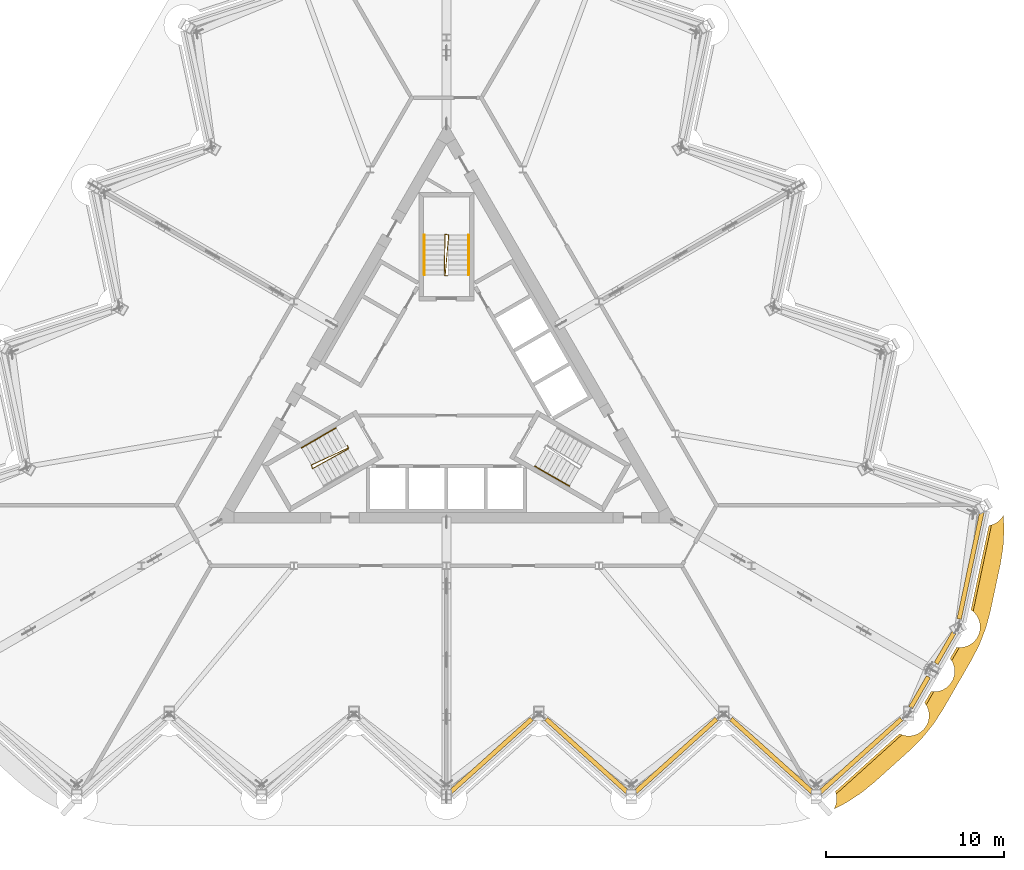
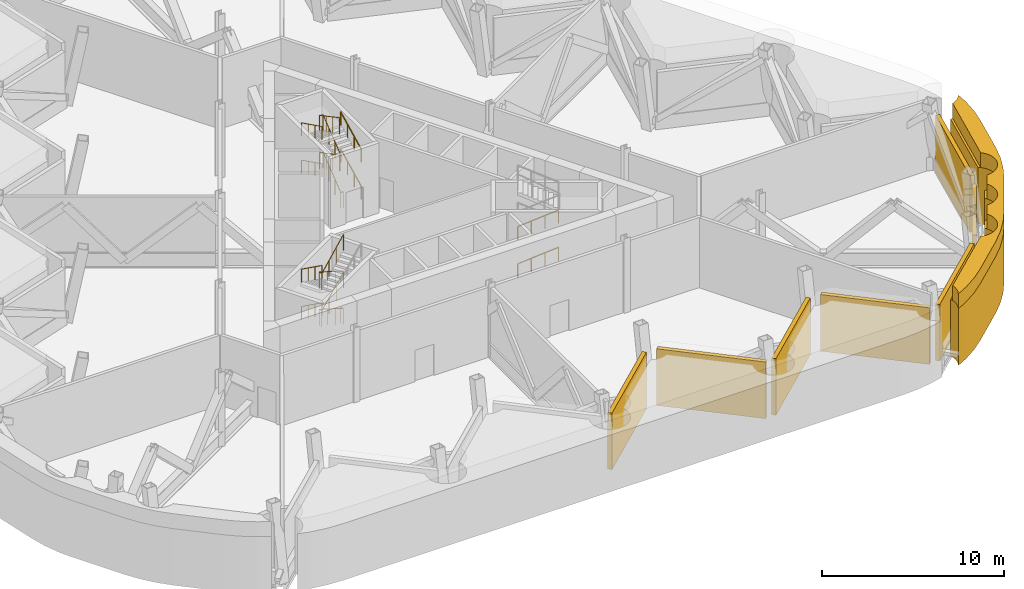
# One storey, part 14 of 16: 10 railings, 8 shading devices, 2 coverings.
"""IFC4 building model written with IfcOpenShell, lengths in metres."""

from ifc_helpers import new_model, si_unit, direction, frame, origin, origin_2d, place, context, subcontext, project, spatial, polyline, rectangle, circle, outline, extrude, material, layer, layer_set, type_object, element, save


model = new_model("IFC4")

# Units and contexts
model_context = context("Model", 3, precision=1e-05, world=origin(), true_north=direction((0.0, 1.0)))
body_context = subcontext(model_context, "Body", "Model", "MODEL_VIEW")
ifc_project = project(units=[si_unit("LENGTHUNIT", "METRE"), si_unit("AREAUNIT", "SQUARE_METRE"), si_unit("VOLUMEUNIT", "CUBIC_METRE"), si_unit("PLANEANGLEUNIT", "RADIAN"), si_unit("MASSUNIT", "GRAM", prefix="KILO")], contexts=[model_context])

# Site, building, storey
site_placement = place(None, origin())
site = spatial("IfcSite", under=ifc_project, at=site_placement, CompositionType="ELEMENT")
building_placement = place(site_placement, origin())
building = spatial("IfcBuilding", under=site, at=building_placement, Name="Cormorant Prow Tower", CompositionType="ELEMENT")
storey_placement = place(building_placement, frame((0.0, 0.0, 356.0)))
storey = spatial("IfcBuildingStorey", under=building, at=storey_placement, Name="L79", CompositionType="ELEMENT", Elevation=356.0)

# Coverings
ifc_material_1 = material(Name="Terracotta", Category="masonry")
ifc_layer_1 = layer(ifc_material_1, 0.449951171875)
ifc_layer_set_1 = layer_set([ifc_layer_1], Name="Terracotta")
covering_type = type_object("IfcCoveringType", Name="Arcade fascia cladding 450", PredefinedType="CLADDING", material=ifc_layer_set_1)
covering_1_placement = place(storey_placement, origin())
element("IfcCovering", 1, at=covering_1_placement, inside=storey, type_object=covering_type, Name="Fascia band L79 part 5", PredefinedType="CLADDING", context=body_context, shape_type="SweptSolid", body=[
    extrude(outline(polyline([(31.35791015625, -7.925048828125), (31.314208984375, -8.76123046875), (31.2978515625, -8.91748046875), (31.166748046875, -9.744384765625), (31.152587890625, -9.82177734375), (30.599853515625, -12.421630859375), (30.58154296875, -12.498046875), (30.36474609375, -13.306884765625), (30.31640625, -13.456298828125), (30.01611328125, -14.238037109375), (29.952392578125, -14.381591796875), (29.572265625, -15.127685546875), (29.53466796875, -15.196533203125), (27.927978515625, -17.9794921875), (27.886962890625, -18.04638671875), (27.430908203125, -18.748779296875), (27.338623046875, -18.875732421875), (26.8115234375, -19.526611328125), (26.70654296875, -19.643310546875), (26.114501953125, -20.2353515625), (26.0576171875, -20.289306640625), (24.08203125, -22.068115234375), (24.0224609375, -22.118896484375), (23.37158203125, -22.64599609375), (23.24462890625, -22.73828125), (22.54248046875, -23.1943359375), (22.406494140625, -23.272705078125), (21.787841796875, -23.587890625), (21.810546875, -23.55029296875), (21.85888671875, -23.4482421875), (21.896728515625, -23.341796875), (21.92431640625, -23.232421875), (21.94091796875, -23.120849609375), (21.9462890625, -23.008056640625), (21.94091796875, -22.8955078125), (21.92431640625, -22.78369140625), (21.896728515625, -22.67431640625), (21.87109375, -22.602294921875), (25.479248046875, -19.353271484375), (25.555419921875, -19.389404296875), (25.66162109375, -19.42724609375), (25.77099609375, -19.45458984375), (25.8828125, -19.47119140625), (25.995361328125, -19.476806640625), (26.108154296875, -19.47119140625), (26.2197265625, -19.45458984375), (26.3291015625, -19.42724609375), (26.435546875, -19.389404296875), (26.53759765625, -19.341064453125), (26.63427734375, -19.282958984375), (26.724853515625, -19.2158203125), (26.80859375, -19.139892578125), (26.884521484375, -19.056396484375), (26.95166015625, -18.9658203125), (27.009521484375, -18.868896484375), (27.057861328125, -18.766845703125), (27.095947265625, -18.66064453125), (27.123291015625, -18.55126953125), (27.139892578125, -18.439453125), (27.1455078125, -18.326904296875), (27.139892578125, -18.214111328125), (27.123291015625, -18.1025390625), (27.095947265625, -17.992919921875), (27.057861328125, -17.88671875), (27.009521484375, -17.78466796875), (26.95166015625, -17.68798828125), (26.892333984375, -17.608154296875), (27.2587890625, -16.973388671875), (27.319580078125, -16.982421875), (27.432373046875, -16.988037109375), (27.544921875, -16.982421875), (27.656494140625, -16.9658203125), (27.76611328125, -16.9384765625), (27.872314453125, -16.900390625), (27.974365234375, -16.852294921875), (28.0712890625, -16.794189453125), (28.161865234375, -16.72705078125), (28.24560546875, -16.651123046875), (28.3212890625, -16.567626953125), (28.388427734375, -16.476806640625), (28.446533203125, -16.380126953125), (28.49462890625, -16.278076171875), (28.53271484375, -16.171875), (28.560302734375, -16.0625), (28.576904296875, -15.95068359375), (28.582275390625, -15.837890625), (28.576904296875, -15.725341796875), (28.560302734375, -15.61376953125), (28.53271484375, -15.504150390625), (28.49462890625, -15.39794921875), (28.446533203125, -15.2958984375), (28.388427734375, -15.19921875), (28.329345703125, -15.119384765625), (28.69580078125, -14.484619140625), (28.756591796875, -14.49365234375), (28.869140625, -14.499267578125), (28.98193359375, -14.49365234375), (29.093505859375, -14.477294921875), (29.202880859375, -14.44970703125), (29.309326171875, -14.41162109375), (29.411376953125, -14.363525390625), (29.508056640625, -14.305419921875), (29.5986328125, -14.23828125), (29.682373046875, -14.162353515625), (29.75830078125, -14.078857421875), (29.825439453125, -13.98828125), (29.88330078125, -13.891357421875), (29.931640625, -13.789306640625), (29.9697265625, -13.68310546875), (29.9970703125, -13.573486328125), (30.013671875, -13.4619140625), (30.019287109375, -13.349365234375), (30.013671875, -13.236572265625), (29.9970703125, -13.125), (29.9697265625, -13.015380859375), (29.931640625, -12.9091796875), (29.88330078125, -12.80712890625), (29.825439453125, -12.710205078125), (29.75830078125, -12.61962890625), (29.682373046875, -12.5361328125), (29.5986328125, -12.460205078125), (29.508056640625, -12.39306640625), (29.500244140625, -12.388427734375), (30.509521484375, -7.6396484375), (30.548095703125, -7.634033203125), (30.65771484375, -7.606689453125), (30.763916015625, -7.568603515625), (30.865966796875, -7.520263671875), (30.962646484375, -7.46240234375), (31.05322265625, -7.39501953125), (31.136962890625, -7.3193359375), (31.212646484375, -7.235595703125), (31.27978515625, -7.14501953125), (31.32177734375, -7.0751953125), (31.35791015625, -7.76806640625), (31.35791015625, -7.925048828125)])), origin(), (0.0, 0.0, 1.0), 3.800048828125),
])
covering_2_placement = place(storey_placement, frame((0.0, 0.0, 3.800048828125)))
element("IfcCovering", 2, at=covering_2_placement, inside=storey, type_object=covering_type, Name="Fascia band L79 head part 6", PredefinedType="CLADDING", context=body_context, shape_type="SweptSolid", body=[
    extrude(outline(polyline([(31.314208984375, -8.76123046875), (31.2978515625, -8.91748046875), (31.166748046875, -9.744384765625), (31.152587890625, -9.82177734375), (30.599853515625, -12.421630859375), (30.58154296875, -12.498046875), (30.36474609375, -13.306884765625), (30.31640625, -13.456298828125), (30.01611328125, -14.238037109375), (29.952392578125, -14.381591796875), (29.572265625, -15.127685546875), (29.53466796875, -15.196533203125), (27.927978515625, -17.9794921875), (27.886962890625, -18.04638671875), (27.430908203125, -18.748779296875), (27.338623046875, -18.875732421875), (26.8115234375, -19.526611328125), (26.70654296875, -19.643310546875), (26.114501953125, -20.2353515625), (26.0576171875, -20.289306640625), (24.08203125, -22.068115234375), (24.0224609375, -22.118896484375), (23.37158203125, -22.64599609375), (23.24462890625, -22.73828125), (22.54248046875, -23.1943359375), (22.406494140625, -23.272705078125), (21.787841796875, -23.587890625), (21.810546875, -23.55029296875), (21.85888671875, -23.4482421875), (21.896728515625, -23.341796875), (21.92431640625, -23.232421875), (21.94091796875, -23.120849609375), (21.9462890625, -23.008056640625), (21.94091796875, -22.8955078125), (21.92431640625, -22.78369140625), (21.914794921875, -22.745849609375), (25.617919921875, -19.41162109375), (25.66162109375, -19.42724609375), (25.77099609375, -19.45458984375), (25.8828125, -19.47119140625), (25.995361328125, -19.476806640625), (26.108154296875, -19.47119140625), (26.2197265625, -19.45458984375), (26.3291015625, -19.42724609375), (26.435546875, -19.389404296875), (26.53759765625, -19.341064453125), (26.63427734375, -19.282958984375), (26.724853515625, -19.2158203125), (26.80859375, -19.139892578125), (26.884521484375, -19.056396484375), (26.95166015625, -18.9658203125), (27.009521484375, -18.868896484375), (27.057861328125, -18.766845703125), (27.095947265625, -18.66064453125), (27.123291015625, -18.55126953125), (27.139892578125, -18.439453125), (27.1455078125, -18.326904296875), (27.139892578125, -18.214111328125), (27.123291015625, -18.1025390625), (27.095947265625, -17.992919921875), (27.057861328125, -17.88671875), (27.009521484375, -17.78466796875), (26.97802734375, -17.73193359375), (27.408203125, -16.98681640625), (27.432373046875, -16.988037109375), (27.544921875, -16.982421875), (27.656494140625, -16.9658203125), (27.76611328125, -16.9384765625), (27.872314453125, -16.900390625), (27.974365234375, -16.852294921875), (28.0712890625, -16.794189453125), (28.161865234375, -16.72705078125), (28.24560546875, -16.651123046875), (28.3212890625, -16.567626953125), (28.388427734375, -16.476806640625), (28.446533203125, -16.380126953125), (28.49462890625, -16.278076171875), (28.53271484375, -16.171875), (28.560302734375, -16.0625), (28.576904296875, -15.95068359375), (28.582275390625, -15.837890625), (28.576904296875, -15.725341796875), (28.560302734375, -15.61376953125), (28.53271484375, -15.504150390625), (28.49462890625, -15.39794921875), (28.446533203125, -15.2958984375), (28.414794921875, -15.2431640625), (28.844970703125, -14.498046875), (28.869140625, -14.499267578125), (28.98193359375, -14.49365234375), (29.093505859375, -14.477294921875), (29.202880859375, -14.44970703125), (29.309326171875, -14.41162109375), (29.411376953125, -14.363525390625), (29.508056640625, -14.305419921875), (29.5986328125, -14.23828125), (29.682373046875, -14.162353515625), (29.75830078125, -14.078857421875), (29.825439453125, -13.98828125), (29.88330078125, -13.891357421875), (29.931640625, -13.789306640625), (29.9697265625, -13.68310546875), (29.9970703125, -13.573486328125), (30.013671875, -13.4619140625), (30.019287109375, -13.349365234375), (30.013671875, -13.236572265625), (29.9970703125, -13.125), (29.9697265625, -13.015380859375), (29.931640625, -12.9091796875), (29.88330078125, -12.80712890625), (29.825439453125, -12.710205078125), (29.75830078125, -12.61962890625), (29.682373046875, -12.5361328125), (29.619873046875, -12.4794921875), (30.655517578125, -7.607177734375), (30.65771484375, -7.606689453125), (30.763916015625, -7.568603515625), (30.865966796875, -7.520263671875), (30.962646484375, -7.46240234375), (31.05322265625, -7.39501953125), (31.136962890625, -7.3193359375), (31.212646484375, -7.235595703125), (31.27978515625, -7.14501953125), (31.32177734375, -7.0751953125), (31.35791015625, -7.76806640625), (31.35791015625, -7.925048828125), (31.314208984375, -8.76123046875)])), origin(), (0.0, 0.0, 1.0), 1.0),
])

# Shading devices
ifc_material_2 = material(Name="Aluminium 6063-T6", Category="aluminium")
ifc_layer_2 = layer(ifc_material_2, 0.25)
ifc_layer_set_2 = layer_set([ifc_layer_2], Name="Aluminium 6063-T6")
shading_device_type_1 = type_object("IfcShadingDeviceType", Name="Plant storey louvre panel 2006x250x3800", PredefinedType="USERDEFINED", material=ifc_layer_set_2)
for number, where, z_axis, x_axis, name in (
    (3, (26.60546875, -17.02001953125, 0.0), (0.0, 0.0, 1.0), (0.499999970677, 0.866025420714, 0.0), "Plant storey louvre ESE00"),
    (4, (28.04248046875, -14.53125, 0.0), (0.0, 0.0, 1.0), (0.499999970677, 0.866025420714, 0.0), "Plant storey louvre ESE01"),
):
    element("IfcShadingDevice", number, at=place(storey_placement, frame(where, z_axis=z_axis, x_axis=x_axis)), inside=storey, type_object=shading_device_type_1, Name=name, ObjectType="LOUVRE", PredefinedType="USERDEFINED", context=body_context, shape_type="SweptSolid", body=[
        extrude(rectangle(XDim=2.005859375, YDim=0.25, at=origin_2d()), origin(), (0.0, 0.0, 1.0), 3.800048828125),
    ])
ifc_material_3 = material(Name="Aluminium 6063-T6", Category="aluminium")
ifc_layer_3 = layer(ifc_material_3, 0.25)
ifc_layer_set_3 = layer_set([ifc_layer_3], Name="Aluminium 6063-T6")
shading_device_type_2 = type_object("IfcShadingDeviceType", Name="Plant storey louvre panel 6128x250x3800", PredefinedType="USERDEFINED", material=ifc_layer_set_3)
for number, where, z_axis, x_axis, name in (
    (5, (2.515869140625, -20.574462890625, 0.0), (0.0, 0.0, 1.0), (0.743144815375, 0.669130617578, 0.0), "Plant storey louvre S05"),
    (6, (7.88232421875, -20.574462890625, 0.0), (0.0, 0.0, 1.0), (0.743144751377, -0.669130688656, 0.0), "Plant storey louvre S06"),
    (7, (12.9140625, -20.574462890625, 0.0), (0.0, 0.0, 1.0), (0.743144815375, 0.669130617578, 0.0), "Plant storey louvre S07"),
    (8, (18.280517578125, -20.574462890625, 0.0), (0.0, 0.0, 1.0), (0.743144751377, -0.669130688656, 0.0), "Plant storey louvre S08"),
    (9, (23.312255859375, -20.574462890625, 0.0), (0.0, 0.0, 1.0), (0.743144815375, 0.669130617578, 0.0), "Plant storey louvre S09"),
    (10, (29.47412109375, -9.901611328125, 0.0), (0.0, 0.0, 1.0), (0.20791176281, 0.978147585431, 0.0), "Plant storey louvre ENE00"),
):
    element("IfcShadingDevice", number, at=place(storey_placement, frame(where, z_axis=z_axis, x_axis=x_axis)), inside=storey, type_object=shading_device_type_2, Name=name, ObjectType="LOUVRE", PredefinedType="USERDEFINED", context=body_context, shape_type="SweptSolid", body=[
        extrude(rectangle(XDim=6.1279296875, YDim=0.25, at=origin_2d()), origin(), (0.0, 0.0, 1.0), 3.800048828125),
    ])

# Railings
ifc_material_4 = material(Name="Stainless steel", Category="steel")
railing_type_1 = type_object("IfcRailingType", Name="Stair guard 1100", PredefinedType="GUARDRAIL", material=ifc_material_4)
railing_1_placement = place(storey_placement, frame((-5.585205078125, -3.137939453125, 0.0)))
element("IfcRailing", 11, at=railing_1_placement, inside=storey, type_object=railing_type_1, Name="L79 ST1 stair guard 1", PredefinedType="GUARDRAIL", context=body_context, shape_type="SweptSolid", body=[
    extrude(circle(Radius=0.02392578125, at=origin_2d()), frame((0.0, 0.0, 1.076171875), z_axis=(0.501036270542, -0.865426285481, 0.0), x_axis=(0.865426285481, 0.501036270542, 0.0)), (0.0, 0.0, 1.0), 0.150146484375),
    extrude(circle(Radius=0.02392578125, at=origin_2d()), frame((0.0751953125, -0.1298828125, 1.076171875), z_axis=(-0.796139674623, -0.37143232681, 0.477702465026), x_axis=(0.422792438952, -0.906226546491, 0.0)), (0.0, 0.0, 1.0), 2.61669921875),
    extrude(circle(Radius=0.02392578125, at=origin_2d()), frame((-2.008056640625, -1.101806640625, 2.326171875), z_axis=(0.275034262293, -0.961434425515, 0.0), x_axis=(0.961434425515, 0.275034262293, 0.0)), (0.0, 0.0, 1.0), 0.2060546875),
    extrude(circle(Radius=0.02392578125, at=origin_2d()), frame((-1.951416015625, -1.2998046875, 2.326171875), z_axis=(0.76962706216, 0.422144092447, 0.479028757386), x_axis=(-0.480911908544, 0.87676891837, 0.0)), (0.0, 0.0, 1.0), 2.609375),
    extrude(circle(Radius=0.02392578125, at=origin_2d()), frame((0.056884765625, -0.1982421875, 3.576171875), z_axis=(0.258736085224, 0.965948051503, 0.0), x_axis=(-0.965948051503, 0.258736085224, 0.0)), (0.0, 0.0, 1.0), 0.07080078125),
    extrude(circle(Radius=0.02392578125, at=origin_2d()), frame((0.0751953125, -0.1298828125, 3.576171875), z_axis=(-0.796139674623, -0.37143232681, 0.477702465026), x_axis=(0.422792438952, -0.906226546491, 0.0)), (0.0, 0.0, 1.0), 2.61669921875),
    extrude(circle(Radius=0.02392578125, at=origin_2d()), frame((-2.008056640625, -1.101806640625, 4.826171875), z_axis=(0.275034262293, -0.961434425515, 0.0), x_axis=(0.961434425515, 0.275034262293, 0.0)), (0.0, 0.0, 1.0), 0.2060546875),
    extrude(circle(Radius=0.02392578125, at=origin_2d()), frame((-1.951416015625, -1.2998046875, 4.826171875), z_axis=(0.76962706216, 0.422144092447, 0.479028757386), x_axis=(-0.480911908544, 0.87676891837, 0.0)), (0.0, 0.0, 1.0), 2.609375),
    extrude(circle(Radius=0.02099609375, at=origin_2d()), origin(), (0.0, 0.0, 1.0), 1.052001953125),
    extrude(circle(Radius=0.02099609375, at=origin_2d()), frame((0.0751953125, -0.1298828125, 0.0)), (0.0, 0.0, 1.0), 1.052001953125),
    extrude(circle(Radius=0.02099609375, at=origin_2d()), frame((-0.619140625, -0.453857421875, 0.416748046875)), (0.0, 0.0, 1.0), 1.052001953125),
    extrude(circle(Radius=0.02099609375, at=origin_2d()), frame((-1.313720703125, -0.77783203125, 0.833251953125)), (0.0, 0.0, 1.0), 1.052001953125),
    extrude(circle(Radius=0.02099609375, at=origin_2d()), frame((-2.008056640625, -1.101806640625, 1.25)), (0.0, 0.0, 1.0), 1.052001953125),
    extrude(circle(Radius=0.02099609375, at=origin_2d()), frame((-1.951416015625, -1.2998046875, 1.25)), (0.0, 0.0, 1.0), 1.052001953125),
    extrude(circle(Radius=0.02099609375, at=origin_2d()), frame((-1.281982421875, -0.9326171875, 1.666748046875)), (0.0, 0.0, 1.0), 1.052001953125),
    extrude(circle(Radius=0.02099609375, at=origin_2d()), frame((-0.612548828125, -0.5654296875, 2.083251953125)), (0.0, 0.0, 1.0), 1.052001953125),
    extrude(circle(Radius=0.02099609375, at=origin_2d()), frame((0.056884765625, -0.1982421875, 2.5)), (0.0, 0.0, 1.0), 1.052001953125),
    extrude(circle(Radius=0.02099609375, at=origin_2d()), frame((0.0751953125, -0.1298828125, 2.5)), (0.0, 0.0, 1.0), 1.052001953125),
    extrude(circle(Radius=0.02099609375, at=origin_2d()), frame((-0.619140625, -0.453857421875, 2.916748046875)), (0.0, 0.0, 1.0), 1.052001953125),
    extrude(circle(Radius=0.02099609375, at=origin_2d()), frame((-1.313720703125, -0.77783203125, 3.333251953125)), (0.0, 0.0, 1.0), 1.052001953125),
    extrude(circle(Radius=0.02099609375, at=origin_2d()), frame((-2.008056640625, -1.101806640625, 3.75)), (0.0, 0.0, 1.0), 1.052001953125),
    extrude(circle(Radius=0.02099609375, at=origin_2d()), frame((-1.951416015625, -1.2998046875, 3.75)), (0.0, 0.0, 1.0), 1.052001953125),
    extrude(circle(Radius=0.02099609375, at=origin_2d()), frame((-1.281982421875, -0.9326171875, 4.166748046875)), (0.0, 0.0, 1.0), 1.052001953125),
    extrude(circle(Radius=0.02099609375, at=origin_2d()), frame((-0.612548828125, -0.5654296875, 4.583251953125)), (0.0, 0.0, 1.0), 1.052001953125),
    extrude(circle(Radius=0.02099609375, at=origin_2d()), frame((0.056884765625, -0.1982421875, 5.0)), (0.0, 0.0, 1.0), 1.052001953125),
])
railing_2_placement = place(storey_placement, frame((0.074951171875, 6.40576171875, 0.0)))
element("IfcRailing", 12, at=railing_2_placement, inside=storey, type_object=railing_type_1, Name="L79 ST3 stair guard 1", PredefinedType="GUARDRAIL", context=body_context, shape_type="SweptSolid", body=[
    extrude(circle(Radius=0.02392578125, at=origin_2d()), frame((0.0, 0.0, 1.076171875), z_axis=(-1.0, 0.0, 0.0), x_axis=(0.0, -1.0, 0.0)), (0.0, 0.0, 1.0), 0.14990234375),
    extrude(circle(Radius=0.02392578125, at=origin_2d()), frame((-0.14990234375, 0.0, 1.076171875), z_axis=(0.07641549331, 0.87518599176, 0.477713462453), x_axis=(-0.996209839609, 0.086982500921, 0.0)), (0.0, 0.0, 1.0), 2.61669921875),
    extrude(circle(Radius=0.02392578125, at=origin_2d()), frame((0.050048828125, 2.2900390625, 2.326171875), z_axis=(-0.970072785993, 0.242814311512, 0.0), x_axis=(-0.242814311512, -0.970072785993, 0.0)), (0.0, 0.0, 1.0), 0.2060546875),
    extrude(circle(Radius=0.02392578125, at=origin_2d()), frame((-0.14990234375, 2.340087890625, 2.326171875), z_axis=(-0.019179761202, -0.877591024776, 0.479026231008), x_axis=(0.999761264773, -0.0218497931, 0.0)), (0.0, 0.0, 1.0), 2.609375),
    extrude(circle(Radius=0.02392578125, at=origin_2d()), frame((-0.199951171875, 0.050048828125, 3.576171875), z_axis=(0.707106781187, -0.707106781187, 0.0), x_axis=(0.707106781187, 0.707106781187, 0.0)), (0.0, 0.0, 1.0), 0.07080078125),
    extrude(circle(Radius=0.02392578125, at=origin_2d()), frame((-0.14990234375, 0.0, 3.576171875), z_axis=(0.07641549331, 0.87518599176, 0.477713462453), x_axis=(-0.996209839609, 0.086982500921, 0.0)), (0.0, 0.0, 1.0), 2.61669921875),
    extrude(circle(Radius=0.02392578125, at=origin_2d()), frame((0.050048828125, 2.2900390625, 4.826171875), z_axis=(-0.970072785993, 0.242814311512, 0.0), x_axis=(-0.242814311512, -0.970072785993, 0.0)), (0.0, 0.0, 1.0), 0.2060546875),
    extrude(circle(Radius=0.02392578125, at=origin_2d()), frame((-0.14990234375, 2.340087890625, 4.826171875), z_axis=(-0.019179761202, -0.877591024776, 0.479026231008), x_axis=(0.999761264773, -0.0218497931, 0.0)), (0.0, 0.0, 1.0), 2.609375),
    extrude(circle(Radius=0.02099609375, at=origin_2d()), origin(), (0.0, 0.0, 1.0), 1.052001953125),
    extrude(circle(Radius=0.02099609375, at=origin_2d()), frame((-0.14990234375, 0.0, 0.0)), (0.0, 0.0, 1.0), 1.052001953125),
    extrude(circle(Radius=0.02099609375, at=origin_2d()), frame((-0.083251953125, 0.763427734375, 0.416748046875)), (0.0, 0.0, 1.0), 1.052001953125),
    extrude(circle(Radius=0.02099609375, at=origin_2d()), frame((-0.0166015625, 1.526611328125, 0.833251953125)), (0.0, 0.0, 1.0), 1.052001953125),
    extrude(circle(Radius=0.02099609375, at=origin_2d()), frame((0.050048828125, 2.2900390625, 1.25)), (0.0, 0.0, 1.0), 1.052001953125),
    extrude(circle(Radius=0.02099609375, at=origin_2d()), frame((-0.14990234375, 2.340087890625, 1.25)), (0.0, 0.0, 1.0), 1.052001953125),
    extrude(circle(Radius=0.02099609375, at=origin_2d()), frame((-0.16650390625, 1.57666015625, 1.666748046875)), (0.0, 0.0, 1.0), 1.052001953125),
    extrude(circle(Radius=0.02099609375, at=origin_2d()), frame((-0.183349609375, 0.8134765625, 2.083251953125)), (0.0, 0.0, 1.0), 1.052001953125),
    extrude(circle(Radius=0.02099609375, at=origin_2d()), frame((-0.199951171875, 0.050048828125, 2.5)), (0.0, 0.0, 1.0), 1.052001953125),
    extrude(circle(Radius=0.02099609375, at=origin_2d()), frame((-0.14990234375, 0.0, 2.5)), (0.0, 0.0, 1.0), 1.052001953125),
    extrude(circle(Radius=0.02099609375, at=origin_2d()), frame((-0.083251953125, 0.763427734375, 2.916748046875)), (0.0, 0.0, 1.0), 1.052001953125),
    extrude(circle(Radius=0.02099609375, at=origin_2d()), frame((-0.0166015625, 1.526611328125, 3.333251953125)), (0.0, 0.0, 1.0), 1.052001953125),
    extrude(circle(Radius=0.02099609375, at=origin_2d()), frame((0.050048828125, 2.2900390625, 3.75)), (0.0, 0.0, 1.0), 1.052001953125),
    extrude(circle(Radius=0.02099609375, at=origin_2d()), frame((-0.14990234375, 2.340087890625, 3.75)), (0.0, 0.0, 1.0), 1.052001953125),
    extrude(circle(Radius=0.02099609375, at=origin_2d()), frame((-0.16650390625, 1.57666015625, 4.166748046875)), (0.0, 0.0, 1.0), 1.052001953125),
    extrude(circle(Radius=0.02099609375, at=origin_2d()), frame((-0.183349609375, 0.8134765625, 4.583251953125)), (0.0, 0.0, 1.0), 1.052001953125),
    extrude(circle(Radius=0.02099609375, at=origin_2d()), frame((-0.199951171875, 0.050048828125, 5.0)), (0.0, 0.0, 1.0), 1.052001953125),
])
ifc_material_5 = material(Name="Stainless steel", Category="steel")
railing_type_2 = type_object("IfcRailingType", Name="Stair handrail 900", PredefinedType="HANDRAIL", material=ifc_material_5)
for number, where, name in (
    (13, (-6.212890625, -2.150634765625, 0.138916015625), "L79 ST1 stair handrail 1"),
    (14, (-6.212890625, -2.150634765625, 2.638916015625), "L79 ST1 stair handrail 3"),
):
    element("IfcRailing", number, at=place(storey_placement, frame(where)), inside=storey, type_object=railing_type_2, Name=name, PredefinedType="HANDRAIL", context=body_context, shape_type="SweptSolid", body=[
        extrude(circle(Radius=0.02392578125, at=origin_2d()), frame((0.0, 0.0, 0.8759765625), z_axis=(-0.775852689126, -0.447877710172, 0.44436264639), x_axis=(0.49994888933, -0.866054910533, 0.0)), (0.0, 0.0, 1.0), 2.50048828125),
        extrude(circle(Radius=0.02099609375, at=origin_2d()), origin(), (0.0, 0.0, 1.0), 0.851806640625),
        extrude(circle(Radius=0.02099609375, at=origin_2d()), frame((-0.646728515625, -0.373291015625, 0.370361328125)), (0.0, 0.0, 1.0), 0.851806640625),
        extrude(circle(Radius=0.02099609375, at=origin_2d()), frame((-1.293212890625, -0.74658203125, 0.74072265625)), (0.0, 0.0, 1.0), 0.851806640625),
        extrude(circle(Radius=0.02099609375, at=origin_2d()), frame((-1.93994140625, -1.119873046875, 1.111083984375)), (0.0, 0.0, 1.0), 0.851806640625),
    ])
for number, where, name in (
    (15, (4.968994140625, -4.30517578125, 0.138916015625), "L79 ST2 stair handrail 1"),
    (16, (4.968994140625, -4.30517578125, 2.638916015625), "L79 ST2 stair handrail 3"),
):
    element("IfcRailing", number, at=place(storey_placement, frame(where)), inside=storey, type_object=railing_type_2, Name=name, PredefinedType="HANDRAIL", context=body_context, shape_type="SweptSolid", body=[
        extrude(circle(Radius=0.02392578125, at=origin_2d()), frame((0.0, 0.0, 0.8759765625), z_axis=(0.775779884805, -0.447989693075, 0.44437687297), x_axis=(0.500077830873, 0.865980463445, 0.0)), (0.0, 0.0, 1.0), 2.500244140625),
        extrude(circle(Radius=0.02099609375, at=origin_2d()), origin(), (0.0, 0.0, 1.0), 0.851806640625),
        extrude(circle(Radius=0.02099609375, at=origin_2d()), frame((0.646484375, -0.373291015625, 0.370361328125)), (0.0, 0.0, 1.0), 0.851806640625),
        extrude(circle(Radius=0.02099609375, at=origin_2d()), frame((1.293212890625, -0.746826171875, 0.74072265625)), (0.0, 0.0, 1.0), 0.851806640625),
        extrude(circle(Radius=0.02099609375, at=origin_2d()), frame((1.939697265625, -1.1201171875, 1.111083984375)), (0.0, 0.0, 1.0), 0.851806640625),
    ])
railing_3_placement = place(storey_placement, frame((1.243896484375, 6.455810546875, 0.138916015625)))
element("IfcRailing", 17, at=railing_3_placement, inside=storey, type_object=railing_type_2, Name="L79 ST3 stair handrail 1", PredefinedType="HANDRAIL", context=body_context, shape_type="SweptSolid", body=[
    extrude(circle(Radius=0.02392578125, at=origin_2d()), frame((0.0, 0.0, 0.8759765625), z_axis=(0.0, 0.895848192791, 0.444360231651), x_axis=(-1.0, 0.0, 0.0)), (0.0, 0.0, 1.0), 2.50048828125),
    extrude(circle(Radius=0.02099609375, at=origin_2d()), origin(), (0.0, 0.0, 1.0), 0.851806640625),
    extrude(circle(Radius=0.02099609375, at=origin_2d()), frame((0.0, 0.74658203125, 0.370361328125)), (0.0, 0.0, 1.0), 0.851806640625),
    extrude(circle(Radius=0.02099609375, at=origin_2d()), frame((0.0, 1.493408203125, 0.74072265625)), (0.0, 0.0, 1.0), 0.851806640625),
    extrude(circle(Radius=0.02099609375, at=origin_2d()), frame((0.0, 2.239990234375, 1.111083984375)), (0.0, 0.0, 1.0), 0.851806640625),
])
railing_4_placement = place(storey_placement, frame((-1.243896484375, 8.69580078125, 1.388916015625)))
element("IfcRailing", 18, at=railing_4_placement, inside=storey, type_object=railing_type_2, Name="L79 ST3 stair handrail 2", PredefinedType="HANDRAIL", context=body_context, shape_type="SweptSolid", body=[
    extrude(circle(Radius=0.02392578125, at=origin_2d()), frame((0.0, 0.0, 0.8759765625), z_axis=(0.0, -0.895848192791, 0.444360231651), x_axis=(1.0, 0.0, 0.0)), (0.0, 0.0, 1.0), 2.50048828125),
    extrude(circle(Radius=0.02099609375, at=origin_2d()), origin(), (0.0, 0.0, 1.0), 0.851806640625),
    extrude(circle(Radius=0.02099609375, at=origin_2d()), frame((0.0, -0.74658203125, 0.370361328125)), (0.0, 0.0, 1.0), 0.851806640625),
    extrude(circle(Radius=0.02099609375, at=origin_2d()), frame((0.0, -1.493408203125, 0.74072265625)), (0.0, 0.0, 1.0), 0.851806640625),
    extrude(circle(Radius=0.02099609375, at=origin_2d()), frame((0.0, -2.239990234375, 1.111083984375)), (0.0, 0.0, 1.0), 0.851806640625),
])
railing_5_placement = place(storey_placement, frame((1.243896484375, 6.455810546875, 2.638916015625)))
element("IfcRailing", 19, at=railing_5_placement, inside=storey, type_object=railing_type_2, Name="L79 ST3 stair handrail 3", PredefinedType="HANDRAIL", context=body_context, shape_type="SweptSolid", body=[
    extrude(circle(Radius=0.02392578125, at=origin_2d()), frame((0.0, 0.0, 0.8759765625), z_axis=(0.0, 0.895848192791, 0.444360231651), x_axis=(-1.0, 0.0, 0.0)), (0.0, 0.0, 1.0), 2.50048828125),
    extrude(circle(Radius=0.02099609375, at=origin_2d()), origin(), (0.0, 0.0, 1.0), 0.851806640625),
    extrude(circle(Radius=0.02099609375, at=origin_2d()), frame((0.0, 0.74658203125, 0.370361328125)), (0.0, 0.0, 1.0), 0.851806640625),
    extrude(circle(Radius=0.02099609375, at=origin_2d()), frame((0.0, 1.493408203125, 0.74072265625)), (0.0, 0.0, 1.0), 0.851806640625),
    extrude(circle(Radius=0.02099609375, at=origin_2d()), frame((0.0, 2.239990234375, 1.111083984375)), (0.0, 0.0, 1.0), 0.851806640625),
])
railing_6_placement = place(storey_placement, frame((-1.243896484375, 8.69580078125, 3.888916015625)))
element("IfcRailing", 20, at=railing_6_placement, inside=storey, type_object=railing_type_2, Name="L79 ST3 stair handrail 4", PredefinedType="HANDRAIL", context=body_context, shape_type="SweptSolid", body=[
    extrude(circle(Radius=0.02392578125, at=origin_2d()), frame((0.0, 0.0, 0.8759765625), z_axis=(0.0, -0.895848192791, 0.444360231651), x_axis=(1.0, 0.0, 0.0)), (0.0, 0.0, 1.0), 2.50048828125),
    extrude(circle(Radius=0.02099609375, at=origin_2d()), origin(), (0.0, 0.0, 1.0), 0.851806640625),
    extrude(circle(Radius=0.02099609375, at=origin_2d()), frame((0.0, -0.74658203125, 0.370361328125)), (0.0, 0.0, 1.0), 0.851806640625),
    extrude(circle(Radius=0.02099609375, at=origin_2d()), frame((0.0, -1.493408203125, 0.74072265625)), (0.0, 0.0, 1.0), 0.851806640625),
    extrude(circle(Radius=0.02099609375, at=origin_2d()), frame((0.0, -2.239990234375, 1.111083984375)), (0.0, 0.0, 1.0), 0.851806640625),
])

save(model, "model.ifc")
